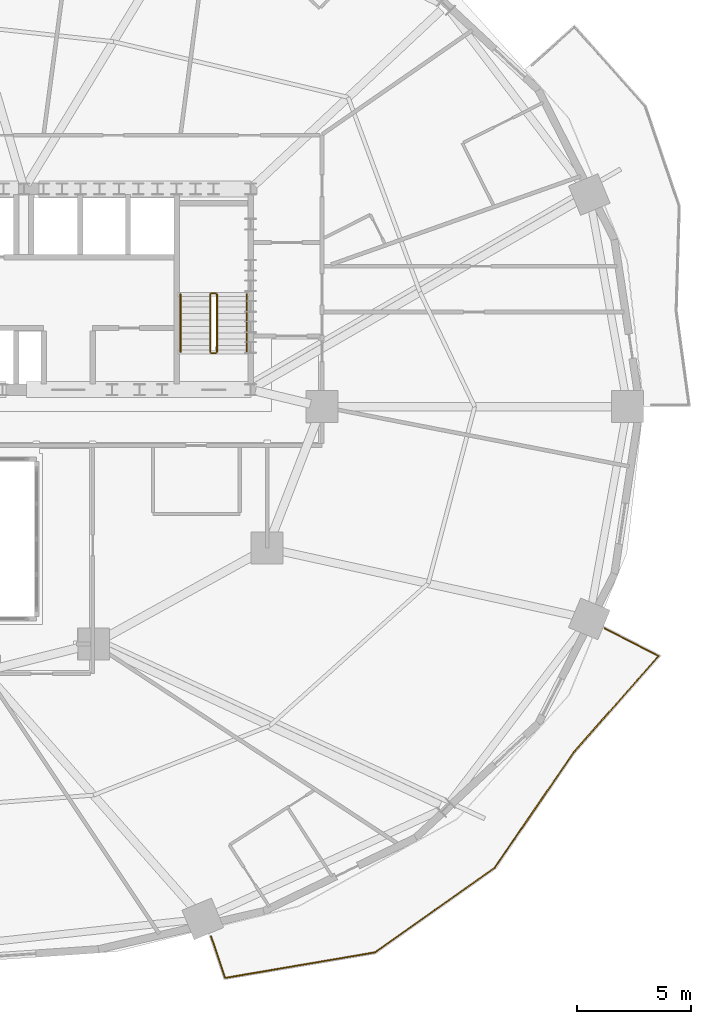
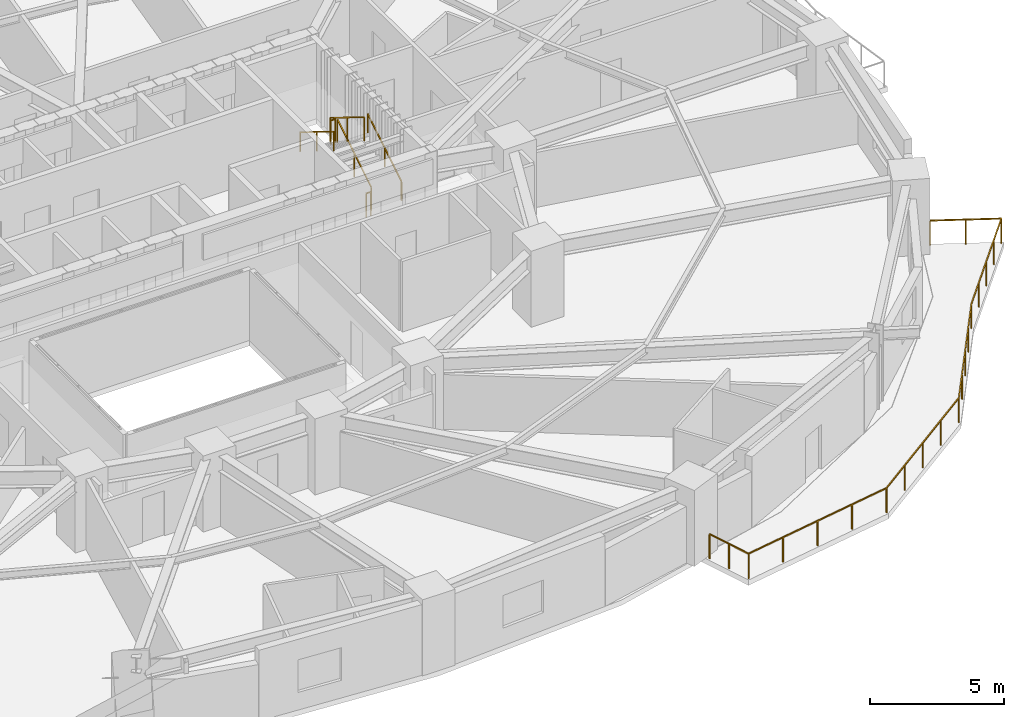
# One storey, part 16 of 17: 7 railings.
"""IFC4 building model written with IfcOpenShell, lengths in metres."""

import ifcopenshell
import ifcopenshell.guid

model = None  # the IFC model being written
_history = None  # IfcOwnerHistory: only IFC2X3 demands one
_inside = {}  # id of a spatial element -> (the spatial element, [elements in it])
_under = {}  # id of a project, library or spatial element -> (it, [spatial elements below it])
_declared = {}  # id of a project -> (the project, [libraries it declares])
_typed = {}  # id of a type object -> (the type object, [elements of that type])
_made_of = {}  # id of a material, layer set ... -> (it, [elements and type objects made of it])


def new_model(schema):
    """Start an empty IFC model of exactly this schema.

    Asked for "IFC4X3", IfcOpenShell would pick the latest addendum, in which some entities
    have other attributes; the version numbers below select the first issue.
    IFC2X3 requires an IfcOwnerHistory on every rooted entity: one is made here for all.
    """
    global model, _history
    if schema == "IFC4X3":
        model = ifcopenshell.file(schema_version=(4, 3, 0, 0))
    else:
        model = ifcopenshell.file(schema=schema)
    _inside.clear()
    _under.clear()
    _declared.clear()
    _typed.clear()
    _made_of.clear()
    _history = None
    if model.schema == "IFC2X3":
        org = make("IfcOrganization", Name="unknown")
        user = make(
            "IfcPersonAndOrganization",
            ThePerson=make("IfcPerson", FamilyName="unknown"),
            TheOrganization=org,
        )
        app = make(
            "IfcApplication",
            ApplicationDeveloper=org,
            Version="unknown",
            ApplicationFullName="unknown",
            ApplicationIdentifier="unknown",
        )
        _history = make(
            "IfcOwnerHistory",
            OwningUser=user,
            OwningApplication=app,
            ChangeAction="ADDED",
            CreationDate=0,
        )
    return model


def make(cls, **values):
    """One entity of the class cls with the attributes given. An attribute that is None is left unset."""
    return model.create_entity(
        cls, **{name: value for name, value in values.items() if value is not None}
    )


def rooted(cls, **values):
    """An entity with a GlobalId (a new one), such as an element, a storey or a relation."""
    return make(cls, GlobalId=ifcopenshell.guid.new(), OwnerHistory=_history, **values)


def si_unit(unit_type, name, prefix=None):
    """IfcSIUnit, for example si_unit("LENGTHUNIT", "METRE", prefix="MILLI")."""
    return make("IfcSIUnit", UnitType=unit_type, Prefix=prefix, Name=name)


def assignment(units):
    """IfcUnitAssignment: the units of a project."""
    return None if units is None else make("IfcUnitAssignment", Units=units)


def point(xyz):
    """IfcCartesianPoint."""
    return None if xyz is None else make("IfcCartesianPoint", Coordinates=xyz)


def direction(xyz):
    """IfcDirection."""
    return None if xyz is None else make("IfcDirection", DirectionRatios=xyz)


def frame(location, z_axis=None, x_axis=None):
    """IfcAxis2Placement3D, a coordinate frame: its origin and axes. An axis left out is left unset."""
    return make(
        "IfcAxis2Placement3D",
        Location=point(location),
        Axis=direction(z_axis),
        RefDirection=direction(x_axis),
    )


def frame_2d(location, x_axis=None):
    """IfcAxis2Placement2D, a coordinate frame in the plane: its origin and x axis."""
    return make(
        "IfcAxis2Placement2D", Location=point(location), RefDirection=direction(x_axis)
    )


def origin():
    """The frame at (0, 0, 0) with its axes left unset."""
    return frame((0.0, 0.0, 0.0))


def origin_2d():
    """The frame at (0, 0) in the plane with its x axis left unset."""
    return frame_2d((0.0, 0.0))


def place(relative_to, where):
    """IfcLocalPlacement: puts the frame where relative to a parent placement (None: the world)."""
    return make(
        "IfcLocalPlacement", PlacementRelTo=relative_to, RelativePlacement=where
    )


def context(
    kind, dimensions, precision=None, world=None, true_north=None, identifier=None
):
    """IfcGeometricRepresentationContext, for example the 3D "Model" context."""
    return make(
        "IfcGeometricRepresentationContext",
        ContextIdentifier=identifier,
        ContextType=kind,
        CoordinateSpaceDimension=dimensions,
        Precision=precision,
        WorldCoordinateSystem=world,
        TrueNorth=true_north,
    )


def subcontext(parent, identifier, kind, view, scale=None):
    """IfcGeometricRepresentationSubContext, for example "Body" below "Model"."""
    return make(
        "IfcGeometricRepresentationSubContext",
        ContextIdentifier=identifier,
        ContextType=kind,
        ParentContext=parent,
        TargetScale=scale,
        TargetView=view,
    )


def project(units=None, contexts=None):
    """IfcProject with its units and contexts."""
    return rooted(
        "IfcProject",
        Name="project",
        RepresentationContexts=contexts,
        UnitsInContext=assignment(units),
    )


def spatial(cls, under=None, at=None, **own):
    """A site, building, storey or space (cls), placed at a placement, below another one or the project."""
    s = rooted(cls, ObjectPlacement=at, **own)
    if under is not None:
        _under.setdefault(under.id(), (under, []))[1].append(s)
    return s


def profile(cls, at=None, kind="AREA", **sizes):
    """A parametric profile (cls). Its sizes go by their IFC names, for example OverallWidth=200.0."""
    return make(cls, ProfileType=kind, Position=at, **sizes)


def rectangle(**sizes):
    """IfcRectangleProfileDef."""
    return profile("IfcRectangleProfileDef", **sizes)


def extrude(swept, where, along, depth):
    """IfcExtrudedAreaSolid: the profile swept, set in the frame where, extruded along a direction by depth."""
    return make(
        "IfcExtrudedAreaSolid",
        SweptArea=swept,
        Position=where,
        ExtrudedDirection=direction(along),
        Depth=depth,
    )


def shape(context_of_items, identifier, shape_type, items):
    """IfcShapeRepresentation: the items that make up one representation, for example the "Body"."""
    return make(
        "IfcShapeRepresentation",
        ContextOfItems=context_of_items,
        RepresentationIdentifier=identifier,
        RepresentationType=shape_type,
        Items=items,
    )


def material(Name=None, Category=None):
    """IfcMaterial."""
    return make("IfcMaterial", Name=Name, Category=Category)


def made_of(thing, what):
    """Note that an element or type object is made of a material, layer set ...; save() writes the relation."""
    if what is not None:
        _made_of.setdefault(what.id(), (what, []))[1].append(thing)
    return thing


def type_object(cls, material=None, **own):
    """A type object (cls), such as IfcWallType, which elements share."""
    return made_of(rooted(cls, **own), material)


def element(
    cls,
    number,
    at=None,
    inside=None,
    cuts=None,
    type_object=None,
    material=None,
    context=None,
    identifier="Body",
    shape_type=None,
    held_by="IfcProductDefinitionShape",
    body=None,
    shapes=None,
    **own,
):
    """One element of the class cls, such as IfcWall. Its Tag is "e" and its number.

    at: its placement. inside: the storey or other place that contains it. cuts: it is an
    opening in that element (IfcRelVoidsElement). A single representation is given by context,
    identifier, shape_type and body (its items); several are given by shapes. held_by: the class
    of the entity that holds the representations. save() writes the other relations.
    """
    e = rooted(cls, Tag="e%d" % number, ObjectPlacement=at, **own)
    if body is not None:
        shapes = [shape(context, identifier, shape_type, body)]
    if shapes is not None:
        e.Representation = make(held_by, Representations=shapes)
    if inside is not None:
        _inside.setdefault(inside.id(), (inside, []))[1].append(e)
    if cuts is not None:
        rooted(
            "IfcRelVoidsElement", RelatingBuildingElement=cuts, RelatedOpeningElement=e
        )
    if type_object is not None:
        _typed.setdefault(type_object.id(), (type_object, []))[1].append(e)
    return made_of(e, material)


def aggregate(whole, parts):
    """IfcRelAggregates: a whole, such as a stair, and the parts it consists of."""
    return rooted("IfcRelAggregates", RelatingObject=whole, RelatedObjects=parts)


def save(model, path):
    """Write the relations noted so far, then the file.

    IfcRelAggregates (storeys below a building ...), IfcRelContainedInSpatialStructure (elements
    in a storey), IfcRelDefinesByType, IfcRelAssociatesMaterial and IfcRelDeclares: one each for
    every whole, place, type object, material and project.
    """
    for whole, parts in _under.values():
        aggregate(whole, parts)
    for where, things in _inside.values():
        rooted(
            "IfcRelContainedInSpatialStructure",
            RelatedElements=things,
            RelatingStructure=where,
        )
    for kind, things in _typed.values():
        rooted("IfcRelDefinesByType", RelatedObjects=things, RelatingType=kind)
    for what, things in _made_of.values():
        rooted("IfcRelAssociatesMaterial", RelatedObjects=things, RelatingMaterial=what)
    for by, libraries in _declared.values():
        rooted("IfcRelDeclares", RelatingContext=by, RelatedDefinitions=libraries)
    model.write(path)


model = new_model("IFC4")

# Units and contexts
model_context = context("Model", 3, precision=1e-05, world=origin(), true_north=direction((0.0, 1.0)))
body_context = subcontext(model_context, "Body", "Model", "MODEL_VIEW")
ifc_project = project(units=[si_unit("LENGTHUNIT", "METRE"), si_unit("AREAUNIT", "SQUARE_METRE"), si_unit("VOLUMEUNIT", "CUBIC_METRE"), si_unit("PLANEANGLEUNIT", "RADIAN"), si_unit("MASSUNIT", "GRAM", prefix="KILO")], contexts=[model_context])

# Site, building, storey
site_placement = place(None, origin())
site = spatial("IfcSite", under=ifc_project, at=site_placement, CompositionType="ELEMENT")
building_placement = place(site_placement, origin())
building = spatial("IfcBuilding", under=site, at=building_placement, Name="Haldorwick Loom Tower", CompositionType="ELEMENT")
storey_placement = place(building_placement, frame((0.0, 0.0, 51.60009765625)))
storey = spatial("IfcBuildingStorey", under=building, at=storey_placement, Name="L13", CompositionType="ELEMENT", Elevation=51.60009765625)

# Railings
ifc_material_1 = material(Name="Galvanized Steel CSA G40.21 350W", Category="steel")
railing_type_1 = type_object("IfcRailingType", Name="ARC-RLG-BAL115", PredefinedType="BALUSTRADE", material=ifc_material_1)
railing_1_placement = place(storey_placement, frame((65.593017578125, 16.2890625, 0.0)))
element("IfcRailing", 1, at=railing_1_placement, inside=storey, type_object=railing_type_1, Name="L13 Outdoor Terrace Guardrail SLB-L13-BAL_SE-1", PredefinedType="BALUSTRADE", context=body_context, shape_type="SweptSolid", body=[
    extrude(rectangle(XDim=0.048095703125, YDim=0.048095703125, at=origin_2d()), frame((0.0, 0.0, 1.1259765625), z_axis=(0.889147904844, -0.457619933254, 0.0), x_axis=(0.457619933254, 0.889147904844, 0.0)), (0.0, 0.0, 1.0), 2.657470703125),
    extrude(rectangle(XDim=0.048095703125, YDim=0.048095703125, at=origin_2d()), frame((2.36279296875, -1.216064453125, 1.1259765625), z_axis=(-0.661217967964, -0.750193840845, 0.0), x_axis=(0.750193840845, -0.661217967964, 0.0)), (0.0, 0.0, 1.0), 5.622314453125),
    extrude(rectangle(XDim=0.048095703125, YDim=0.048095703125, at=origin_2d()), frame((-1.354736328125, -5.433837890625, 1.1259765625), z_axis=(-0.615644041972, -0.788024373725, 0.0), x_axis=(0.788024373725, -0.615644041972, 0.0)), (0.0, 0.0, 1.0), 0.010009765625),
    extrude(rectangle(XDim=0.048095703125, YDim=0.048095703125, at=origin_2d()), frame((-1.36083984375, -5.441650390625, 1.1259765625), z_axis=(-0.564811281477, -0.82522010174, 0.0), x_axis=(0.82522010174, -0.564811281477, 0.0)), (0.0, 0.0, 1.0), 6.115478515625),
    extrude(rectangle(XDim=0.048095703125, YDim=0.048095703125, at=origin_2d()), frame((-4.81494140625, -10.48828125, 1.1259765625), z_axis=(-0.816259372483, -0.577685586486, 0.0), x_axis=(0.577685586486, -0.816259372483, 0.0)), (0.0, 0.0, 1.0), 6.4326171875),
    extrude(rectangle(XDim=0.048095703125, YDim=0.048095703125, at=origin_2d()), frame((-10.065673828125, -14.204345703125, 1.1259765625), z_axis=(-0.985747982985, -0.168228755094, 0.0), x_axis=(0.168228755094, -0.985747982985, 0.0)), (0.0, 0.0, 1.0), 6.66552734375),
    extrude(rectangle(XDim=0.048095703125, YDim=0.048095703125, at=origin_2d()), frame((-16.63623046875, -15.32568359375, 1.1259765625), z_axis=(-0.320435584101, 0.947270308012, 0.0), x_axis=(-0.947270308012, -0.320435584101, 0.0)), (0.0, 0.0, 1.0), 1.9306640625),
    extrude(rectangle(XDim=0.0419921875, YDim=0.0419921875, at=origin_2d()), origin(), (0.0, 0.0, 1.0), 1.101806640625),
    extrude(rectangle(XDim=0.0419921875, YDim=0.0419921875, at=origin_2d()), frame((1.181396484375, -0.60791015625, 0.0)), (0.0, 0.0, 1.0), 1.101806640625),
    extrude(rectangle(XDim=0.0419921875, YDim=0.0419921875, at=origin_2d()), frame((2.36279296875, -1.216064453125, 0.0)), (0.0, 0.0, 1.0), 1.101806640625),
    extrude(rectangle(XDim=0.0419921875, YDim=0.0419921875, at=origin_2d()), frame((1.433349609375, -2.2705078125, 0.0)), (0.0, 0.0, 1.0), 1.101806640625),
    extrude(rectangle(XDim=0.0419921875, YDim=0.0419921875, at=origin_2d()), frame((0.50390625, -3.324951171875, 0.0)), (0.0, 0.0, 1.0), 1.101806640625),
    extrude(rectangle(XDim=0.0419921875, YDim=0.0419921875, at=origin_2d()), frame((-0.42529296875, -4.37939453125, 0.0)), (0.0, 0.0, 1.0), 1.101806640625),
    extrude(rectangle(XDim=0.0419921875, YDim=0.0419921875, at=origin_2d()), frame((-1.354736328125, -5.433837890625, 0.0)), (0.0, 0.0, 1.0), 1.101806640625),
    extrude(rectangle(XDim=0.0419921875, YDim=0.0419921875, at=origin_2d()), frame((-2.224365234375, -6.703369140625, 0.0)), (0.0, 0.0, 1.0), 1.101806640625),
    extrude(rectangle(XDim=0.0419921875, YDim=0.0419921875, at=origin_2d()), frame((-3.087890625, -7.96484375, 0.0)), (0.0, 0.0, 1.0), 1.101806640625),
    extrude(rectangle(XDim=0.0419921875, YDim=0.0419921875, at=origin_2d()), frame((-3.951416015625, -9.2265625, 0.0)), (0.0, 0.0, 1.0), 1.101806640625),
    extrude(rectangle(XDim=0.0419921875, YDim=0.0419921875, at=origin_2d()), frame((-4.81494140625, -10.48828125, 0.0)), (0.0, 0.0, 1.0), 1.101806640625),
    extrude(rectangle(XDim=0.0419921875, YDim=0.0419921875, at=origin_2d()), frame((-6.127685546875, -11.417236328125, 0.0)), (0.0, 0.0, 1.0), 1.101806640625),
    extrude(rectangle(XDim=0.0419921875, YDim=0.0419921875, at=origin_2d()), frame((-7.4404296875, -12.34619140625, 0.0)), (0.0, 0.0, 1.0), 1.101806640625),
    extrude(rectangle(XDim=0.0419921875, YDim=0.0419921875, at=origin_2d()), frame((-8.7529296875, -13.275390625, 0.0)), (0.0, 0.0, 1.0), 1.101806640625),
    extrude(rectangle(XDim=0.0419921875, YDim=0.0419921875, at=origin_2d()), frame((-10.065673828125, -14.204345703125, 0.0)), (0.0, 0.0, 1.0), 1.101806640625),
    extrude(rectangle(XDim=0.0419921875, YDim=0.0419921875, at=origin_2d()), frame((-11.708251953125, -14.484619140625, 0.0)), (0.0, 0.0, 1.0), 1.101806640625),
    extrude(rectangle(XDim=0.0419921875, YDim=0.0419921875, at=origin_2d()), frame((-13.35107421875, -14.76513671875, 0.0)), (0.0, 0.0, 1.0), 1.101806640625),
    extrude(rectangle(XDim=0.0419921875, YDim=0.0419921875, at=origin_2d()), frame((-14.99365234375, -15.04541015625, 0.0)), (0.0, 0.0, 1.0), 1.101806640625),
    extrude(rectangle(XDim=0.0419921875, YDim=0.0419921875, at=origin_2d()), frame((-16.63623046875, -15.32568359375, 0.0)), (0.0, 0.0, 1.0), 1.101806640625),
    extrude(rectangle(XDim=0.0419921875, YDim=0.0419921875, at=origin_2d()), frame((-16.945556640625, -14.4111328125, 0.0)), (0.0, 0.0, 1.0), 1.101806640625),
    extrude(rectangle(XDim=0.0419921875, YDim=0.0419921875, at=origin_2d()), frame((-17.2548828125, -13.496826171875, 0.0)), (0.0, 0.0, 1.0), 1.101806640625),
])
ifc_material_2 = material(Name="Steel CSA G40.21 350W", Category="steel")
railing_type_2 = type_object("IfcRailingType", Name="ARC-RLG-GUARD112", PredefinedType="GUARDRAIL", material=ifc_material_2)
railing_2_placement = place(storey_placement, frame((48.60009765625, 28.39990234375, 0.17236328125)))
element("IfcRailing", 2, at=railing_2_placement, inside=storey, type_object=railing_type_2, Name="L13 ST-02 stair guard 1", PredefinedType="GUARDRAIL", context=body_context, shape_type="SweptSolid", body=[
    extrude(rectangle(XDim=0.048095703125, YDim=0.048095703125, at=origin_2d()), frame((0.0, 0.0, 1.076171875), z_axis=(0.0, 0.851400495292, 0.524516154772), x_axis=(-1.0, 0.0, 0.0)), (0.0, 0.0, 1.0), 2.9599609375),
    extrude(rectangle(XDim=0.0419921875, YDim=0.0419921875, at=origin_2d()), origin(), (0.0, 0.0, 1.0), 1.052001953125),
    extrude(rectangle(XDim=0.0419921875, YDim=0.0419921875, at=origin_2d()), frame((0.0, 1.260009765625, 0.7763671875)), (0.0, 0.0, 1.0), 1.052001953125),
    extrude(rectangle(XDim=0.0419921875, YDim=0.0419921875, at=origin_2d()), frame((0.0, 2.52001953125, 1.552490234375)), (0.0, 0.0, 1.0), 1.052001953125),
])
railing_3_placement = place(storey_placement, frame((48.550048828125, 30.969970703125, 1.724853515625)))
element("IfcRailing", 3, at=railing_3_placement, inside=storey, type_object=railing_type_2, Name="L13 ST-02 stair guard 2", PredefinedType="GUARDRAIL", context=body_context, shape_type="SweptSolid", body=[
    extrude(rectangle(XDim=0.048095703125, YDim=0.048095703125, at=origin_2d()), frame((0.0, 0.0, 1.076171875), z_axis=(-1.0, 0.0, 0.0), x_axis=(0.0, -1.0, 0.0)), (0.0, 0.0, 1.0), 0.199951171875),
    extrude(rectangle(XDim=0.0419921875, YDim=0.0419921875, at=origin_2d()), origin(), (0.0, 0.0, 1.0), 1.052001953125),
    extrude(rectangle(XDim=0.0419921875, YDim=0.0419921875, at=origin_2d()), frame((-0.199951171875, 0.0, 0.0)), (0.0, 0.0, 1.0), 1.052001953125),
])
railing_4_placement = place(storey_placement, frame((48.300048828125, 30.919921875, 1.8974609375)))
element("IfcRailing", 4, at=railing_4_placement, inside=storey, type_object=railing_type_2, Name="L13 ST-02 stair guard 3", PredefinedType="GUARDRAIL", context=body_context, shape_type="SweptSolid", body=[
    extrude(rectangle(XDim=0.048095703125, YDim=0.048095703125, at=origin_2d()), frame((0.0, 0.0, 1.076171875), z_axis=(0.0, -0.851400495292, 0.524516154772), x_axis=(1.0, 0.0, 0.0)), (0.0, 0.0, 1.0), 2.9599609375),
    extrude(rectangle(XDim=0.0419921875, YDim=0.0419921875, at=origin_2d()), origin(), (0.0, 0.0, 1.0), 1.052001953125),
    extrude(rectangle(XDim=0.0419921875, YDim=0.0419921875, at=origin_2d()), frame((0.0, -1.260009765625, 0.7763671875)), (0.0, 0.0, 1.0), 1.052001953125),
    extrude(rectangle(XDim=0.0419921875, YDim=0.0419921875, at=origin_2d()), frame((0.0, -2.52001953125, 1.552490234375)), (0.0, 0.0, 1.0), 1.052001953125),
])
railing_5_placement = place(storey_placement, frame((48.550048828125, 28.35009765625, 0.0)))
element("IfcRailing", 5, at=railing_5_placement, inside=storey, type_object=railing_type_2, Name="L13 ST-02 stair guard 4", PredefinedType="GUARDRAIL", context=body_context, shape_type="SweptSolid", body=[
    extrude(rectangle(XDim=0.048095703125, YDim=0.048095703125, at=origin_2d()), frame((0.0, 0.0, 1.076171875), z_axis=(-1.0, 0.0, 0.0), x_axis=(0.0, -1.0, 0.0)), (0.0, 0.0, 1.0), 0.199951171875),
    extrude(rectangle(XDim=0.0419921875, YDim=0.0419921875, at=origin_2d()), origin(), (0.0, 0.0, 1.0), 1.052001953125),
    extrude(rectangle(XDim=0.0419921875, YDim=0.0419921875, at=origin_2d()), frame((-0.199951171875, 0.0, 0.0)), (0.0, 0.0, 1.0), 1.052001953125),
])
railing_type_3 = type_object("IfcRailingType", Name="ARC-RLG-HAND092", PredefinedType="HANDRAIL", material=ifc_material_2)
railing_6_placement = place(storey_placement, frame((49.89990234375, 28.39990234375, 0.17236328125)))
element("IfcRailing", 6, at=railing_6_placement, inside=storey, type_object=railing_type_3, Name="L13 ST-02 stair handrail 1", PredefinedType="HANDRAIL", context=body_context, shape_type="SweptSolid", body=[
    extrude(rectangle(XDim=0.048095703125, YDim=0.048095703125, at=origin_2d()), frame((0.0, 0.0, 0.8759765625), z_axis=(0.0, 0.851400495292, 0.524516154772), x_axis=(-1.0, 0.0, 0.0)), (0.0, 0.0, 1.0), 2.9599609375),
    extrude(rectangle(XDim=0.0419921875, YDim=0.0419921875, at=origin_2d()), origin(), (0.0, 0.0, 1.0), 0.851806640625),
    extrude(rectangle(XDim=0.0419921875, YDim=0.0419921875, at=origin_2d()), frame((0.0, 1.260009765625, 0.7763671875)), (0.0, 0.0, 1.0), 0.851806640625),
    extrude(rectangle(XDim=0.0419921875, YDim=0.0419921875, at=origin_2d()), frame((0.0, 2.52001953125, 1.552490234375)), (0.0, 0.0, 1.0), 0.851806640625),
])
railing_7_placement = place(storey_placement, frame((47.0, 30.919921875, 1.8974609375)))
element("IfcRailing", 7, at=railing_7_placement, inside=storey, type_object=railing_type_3, Name="L13 ST-02 stair handrail 2", PredefinedType="HANDRAIL", context=body_context, shape_type="SweptSolid", body=[
    extrude(rectangle(XDim=0.048095703125, YDim=0.048095703125, at=origin_2d()), frame((0.0, 0.0, 0.8759765625), z_axis=(0.0, -0.851400495292, 0.524516154772), x_axis=(1.0, 0.0, 0.0)), (0.0, 0.0, 1.0), 2.9599609375),
    extrude(rectangle(XDim=0.0419921875, YDim=0.0419921875, at=origin_2d()), origin(), (0.0, 0.0, 1.0), 0.851806640625),
    extrude(rectangle(XDim=0.0419921875, YDim=0.0419921875, at=origin_2d()), frame((0.0, -1.260009765625, 0.7763671875)), (0.0, 0.0, 1.0), 0.851806640625),
    extrude(rectangle(XDim=0.0419921875, YDim=0.0419921875, at=origin_2d()), frame((0.0, -2.52001953125, 1.552490234375)), (0.0, 0.0, 1.0), 0.851806640625),
])

save(model, "model.ifc")
